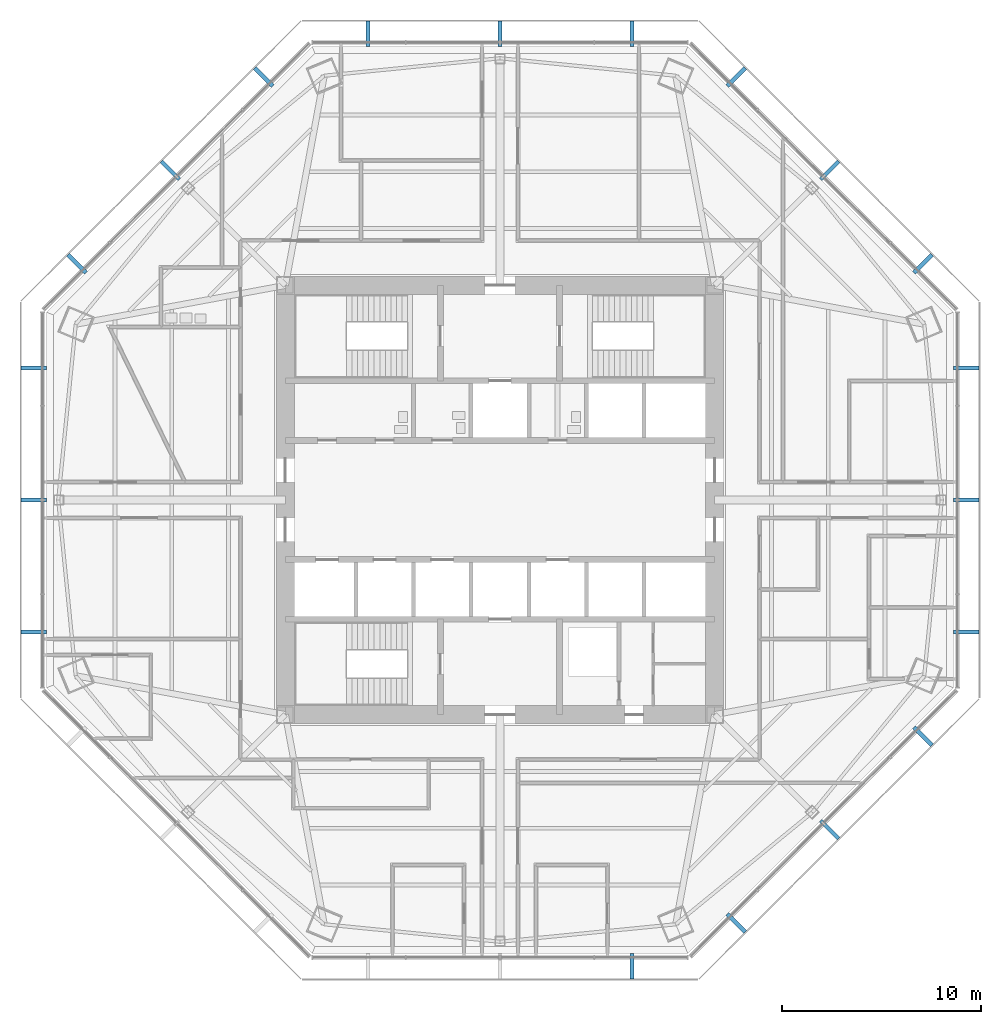
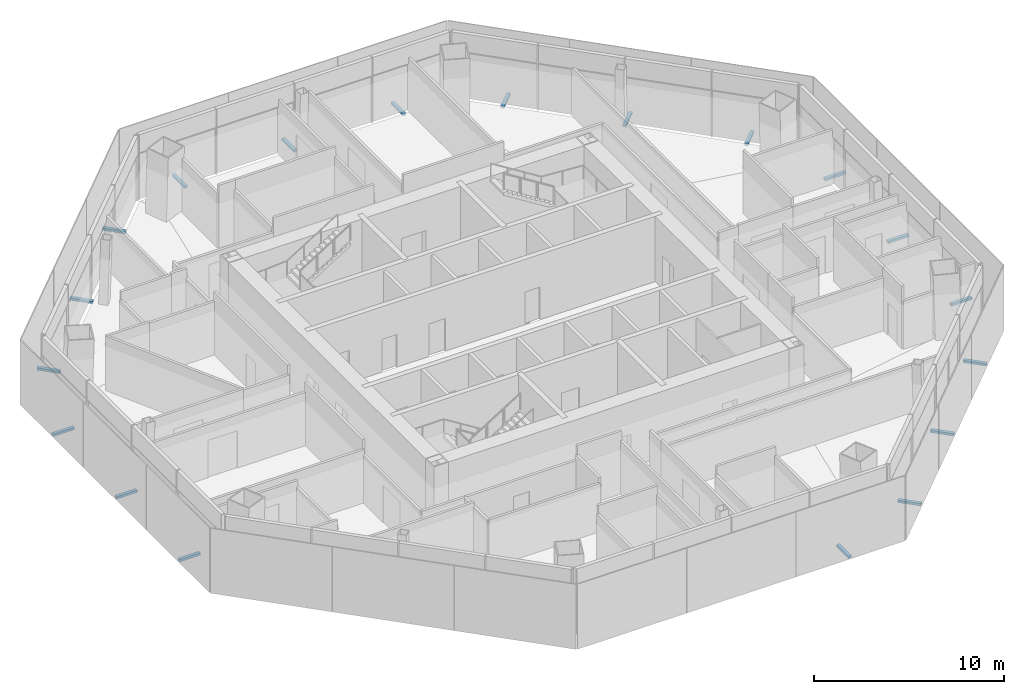
# One storey, part 12 of 15: 19 discrete accessories.
"""IFC4 building model written with IfcOpenShell, lengths in metres."""

from ifc_helpers import new_model, si_unit, direction, frame, origin, origin_2d, place, context, subcontext, project, spatial, rectangle, extrude, source, transform, mapped, material, type_object, type_shapes, element, save


model = new_model("IFC4")

# Units and contexts
model_context = context("Model", 3, precision=1e-05, world=origin(), true_north=direction((0.0, 1.0)))
body_context = subcontext(model_context, "Body", "Model", "MODEL_VIEW")
ifc_project = project(units=[si_unit("LENGTHUNIT", "METRE"), si_unit("AREAUNIT", "SQUARE_METRE"), si_unit("VOLUMEUNIT", "CUBIC_METRE"), si_unit("PLANEANGLEUNIT", "RADIAN"), si_unit("MASSUNIT", "GRAM", prefix="KILO")], contexts=[model_context])

# Site, building, storey
site_placement = place(None, origin())
site = spatial("IfcSite", under=ifc_project, at=site_placement, CompositionType="ELEMENT")
building_placement = place(site_placement, origin())
building = spatial("IfcBuilding", under=site, at=building_placement, Name="Mashrafa Tower", CompositionType="ELEMENT")
storey_placement = place(building_placement, frame((0.0, 0.0, 176.39990234375)))
storey = spatial("IfcBuildingStorey", under=building, at=storey_placement, Name="L40", CompositionType="ELEMENT", Elevation=176.39990234375)

# Discrete accessories
ifc_material = material(Name="Stainless steel screen bracket", Category="steel")
discrete_accessory_type = type_object("IfcDiscreteAccessoryType", Name="Screen support bracket 200 x 150", PredefinedType="BRACKET", material=ifc_material)
shared_shape = source(origin(), body_context, "Body", "SweptSolid", [
    extrude(rectangle(XDim=0.199951171875, YDim=1.27001953125, at=origin_2d()), origin(), (0.0, 0.0, 1.0), 0.14990234375),
])
type_shapes(discrete_accessory_type, [shared_shape])
for number, where, z_axis, x_axis, name in (
    (1, (23.459716796875, -6.64697265625, -0.14990234375), (0.0, 0.0, 1.0), (0.0, 1.0, 0.0), "Screen support bracket L40 east 1"),
    (2, (23.459716796875, 0.0, -0.14990234375), (0.0, 0.0, 1.0), (0.0, 1.0, 0.0), "Screen support bracket L40 east 2"),
    (3, (23.459716796875, 6.64697265625, -0.14990234375), (0.0, 0.0, 1.0), (0.0, 1.0, 0.0), "Screen support bracket L40 east 3"),
    (4, (21.28857421875, 11.888427734375, -0.14990234375), (0.0, 0.0, 1.0), (-0.707106781187, 0.707106781187, 0.0), "Screen support bracket L40 north-east 1"),
    (5, (16.58837890625, 16.58837890625, -0.14990234375), (0.0, 0.0, 1.0), (-0.707106781187, 0.707106781187, 0.0), "Screen support bracket L40 north-east 2"),
    (6, (11.888427734375, 21.28857421875, -0.14990234375), (0.0, 0.0, 1.0), (-0.707106781187, 0.707106781187, 0.0), "Screen support bracket L40 north-east 3"),
    (7, (6.64697265625, 23.459716796875, -0.14990234375), (0.0, 0.0, 1.0), (-1.0, 0.0, 0.0), "Screen support bracket L40 north 1"),
    (8, (0.0, 23.459716796875, -0.14990234375), (0.0, 0.0, 1.0), (-1.0, 0.0, 0.0), "Screen support bracket L40 north 2"),
    (9, (-6.64697265625, 23.459716796875, -0.14990234375), (0.0, 0.0, 1.0), (-1.0, 0.0, 0.0), "Screen support bracket L40 north 3"),
    (10, (-11.888427734375, 21.28857421875, -0.14990234375), (0.0, 0.0, 1.0), (-0.707106781187, -0.707106781187, 0.0), "Screen support bracket L40 north-west 1"),
    (11, (-16.58837890625, 16.58837890625, -0.14990234375), (0.0, 0.0, 1.0), (-0.707106781187, -0.707106781187, 0.0), "Screen support bracket L40 north-west 2"),
    (12, (-21.28857421875, 11.888427734375, -0.14990234375), (0.0, 0.0, 1.0), (-0.707106781187, -0.707106781187, 0.0), "Screen support bracket L40 north-west 3"),
    (13, (-23.459716796875, 6.64697265625, -0.14990234375), (0.0, 0.0, 1.0), (0.0, -1.0, 0.0), "Screen support bracket L40 west 1"),
    (14, (-23.459716796875, 0.0, -0.14990234375), (0.0, 0.0, 1.0), (0.0, -1.0, 0.0), "Screen support bracket L40 west 2"),
    (15, (-23.459716796875, -6.64697265625, -0.14990234375), (0.0, 0.0, 1.0), (0.0, -1.0, 0.0), "Screen support bracket L40 west 3"),
    (16, (6.64697265625, -23.459716796875, -0.14990234375), (0.0, 0.0, 1.0), (1.0, 0.0, 0.0), "Screen support bracket L40 south 3"),
    (17, (11.888427734375, -21.28857421875, -0.14990234375), (0.0, 0.0, 1.0), (0.707106781187, 0.707106781187, 0.0), "Screen support bracket L40 south-east 1"),
    (18, (16.58837890625, -16.58837890625, -0.14990234375), (0.0, 0.0, 1.0), (0.707106781187, 0.707106781187, 0.0), "Screen support bracket L40 south-east 2"),
    (19, (21.28857421875, -11.888427734375, -0.14990234375), (0.0, 0.0, 1.0), (0.707106781187, 0.707106781187, 0.0), "Screen support bracket L40 south-east 3"),
):
    element("IfcDiscreteAccessory", number, at=place(storey_placement, frame(where, z_axis=z_axis, x_axis=x_axis)), inside=storey, type_object=discrete_accessory_type, Name=name, PredefinedType="BRACKET", context=body_context, shape_type="MappedRepresentation", body=[
        mapped(shared_shape, transform((0.0, 0.0, 0.0))),
    ])

save(model, "model.ifc")
